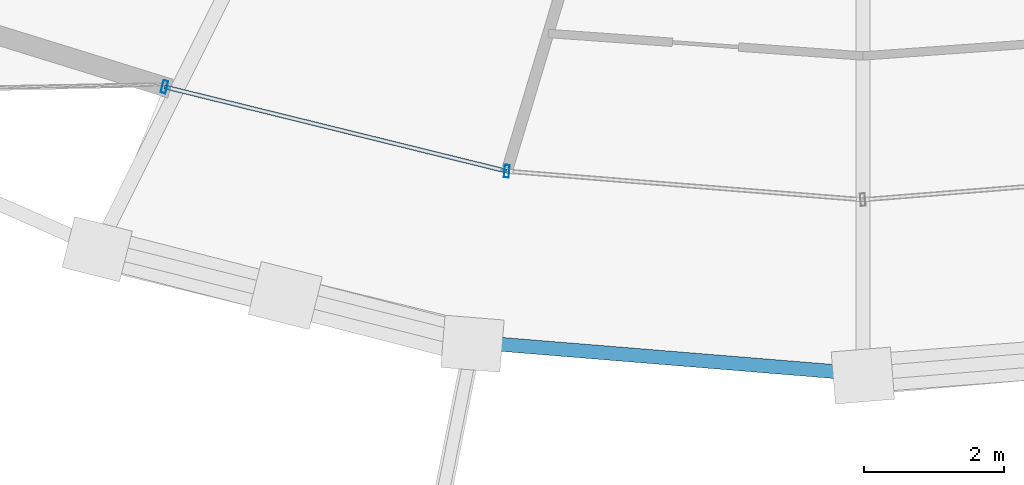
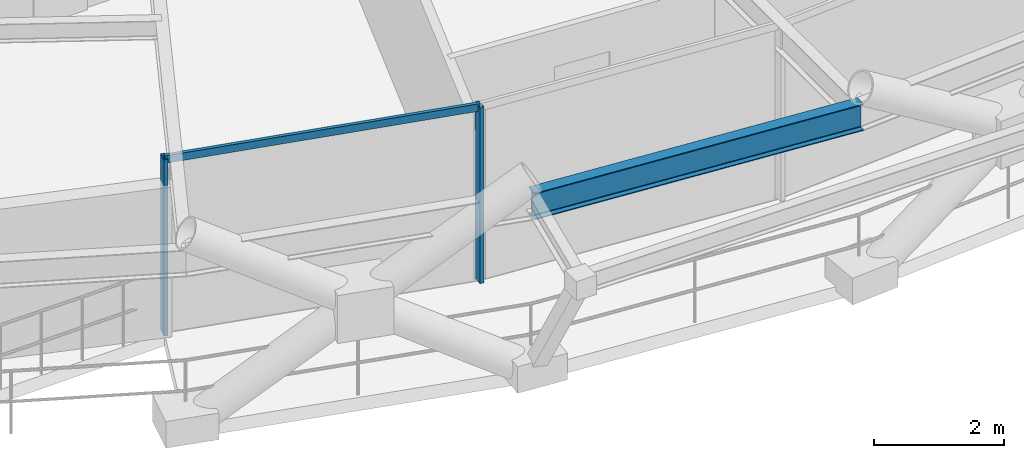
# One storey, part 2 of 21: 3 members, 1 beam, 1 element without a shape of its own.
"""IFC4 building model written with IfcOpenShell, lengths in metres."""

from ifc_helpers import new_model, si_unit, direction, frame, origin, origin_2d, place, context, subcontext, project, spatial, hollow_rectangle, i_section, extrude, material, layer, layer_set, material_profile, profile_set, type_object, element, aggregate, save


model = new_model("IFC4")

# Units and contexts
model_context = context("Model", 3, precision=1e-05, world=origin(), true_north=direction((0.0, 1.0)))
body_context = subcontext(model_context, "Body", "Model", "MODEL_VIEW")
ifc_project = project(units=[si_unit("LENGTHUNIT", "METRE"), si_unit("AREAUNIT", "SQUARE_METRE"), si_unit("VOLUMEUNIT", "CUBIC_METRE"), si_unit("PLANEANGLEUNIT", "RADIAN"), si_unit("MASSUNIT", "GRAM", prefix="KILO")], contexts=[model_context])

# Site, building, storey
site_placement = place(None, origin())
site = spatial("IfcSite", under=ifc_project, at=site_placement, CompositionType="ELEMENT")
building_placement = place(site_placement, origin())
building = spatial("IfcBuilding", under=site, at=building_placement, Name="Veldorina Hangang Commons", CompositionType="ELEMENT")
storey_placement = place(building_placement, frame((0.0, 0.0, 120.800048828125)))
storey = spatial("IfcBuildingStorey", under=building, at=storey_placement, Name="L30", CompositionType="ELEMENT", Elevation=120.800048828125)

# Beam
ifc_material_1 = material(Name="Steel SM420-TMC", Category="steel")
ifc_material_profile_1 = material_profile(ifc_material_1, i_section(OverallWidth=0.199951171875, OverallDepth=0.5, WebThickness=0.010009765625, FlangeThickness=0.01611328125, FilletRadius=0.01611328125, at=origin_2d()), Name="H-500x200x10x16")
ifc_profile_set_1 = profile_set([ifc_material_profile_1], Name="Steel SM420-TMC")
beam_type = type_object("IfcBeamType", Name="BM-RB500", PredefinedType="BEAM", material=ifc_profile_set_1)
beam_placement = place(storey_placement, frame((26.4140625, 0.713623046875, 3.099853515625), z_axis=(0.996683750667, -0.081372606916, 0.0), x_axis=(0.081372606916, 0.996683750667, 0.0)))
element("IfcBeam", 1, at=beam_placement, inside=storey, type_object=beam_type, Name="L30 perimeter hoop ring beam 23", PredefinedType="BEAM", context=body_context, shape_type="SweptSolid", body=[
    extrude(i_section(OverallWidth=0.199951171875, OverallDepth=0.5, WebThickness=0.010009765625, FlangeThickness=0.01611328125, FilletRadius=0.01611328125, at=origin_2d()), origin(), (0.0, 0.0, 1.0), 5.6044921875),
])

# Curtain wall, members
ifc_material_2 = material(Name="Glass Low-E Triple IGU", Category="glass")
ifc_layer = layer(ifc_material_2, 0.179931640625)
ifc_layer_set = layer_set([ifc_layer], Name="Glass Low-E Triple IGU")
curtain_wall_type = type_object("IfcCurtainWallType", Name="CW-SYS-Z2", PredefinedType="NOTDEFINED", material=ifc_layer_set)
curtain_wall_placement = place(storey_placement, origin())
curtain_wall = element("IfcCurtainWall", 2, at=curtain_wall_placement, inside=storey, type_object=curtain_wall_type, Name="L30 unitised curtain wall CW-L30-R1", PredefinedType="NOTDEFINED")
ifc_material_3 = material(Name="Aluminium Anodized AA6063-T6", Category="aluminium")
ifc_material_profile_2 = material_profile(ifc_material_3, hollow_rectangle(XDim=0.070068359375, YDim=0.179931640625, WallThickness=0.00390625, at=origin_2d()), Name="ALU-RHS-180x70x4")
ifc_profile_set_2 = profile_set([ifc_material_profile_2], Name="Aluminium Anodized AA6063-T6")
member_type_1 = type_object("IfcMemberType", Name="CW-MUL-180", PredefinedType="MULLION", material=ifc_profile_set_2)
member_1_placement = place(storey_placement, frame((21.993896484375, 4.370361328125, 0.0), z_axis=(0.0, 0.0, 1.0), x_axis=(0.970942460014, -0.23931305719, 0.0)))
member_1 = element("IfcMember", 3, at=member_1_placement, type_object=member_type_1, Name="CW-L30-R1 vertical mullion 1", PredefinedType="MULLION", context=body_context, shape_type="SweptSolid", body=[
    extrude(hollow_rectangle(XDim=0.070068359375, YDim=0.179931640625, WallThickness=0.00390625, at=origin_2d()), origin(), (0.0, 0.0, 1.0), 3.31005859375),
])
member_2_placement = place(storey_placement, frame((26.89892578125, 3.161376953125, 0.0), z_axis=(0.0, 0.0, 1.0), x_axis=(0.996812384655, -0.079781387545, 0.0)))
member_2 = element("IfcMember", 4, at=member_2_placement, type_object=member_type_1, Name="CW-L30-R1 vertical mullion 2", PredefinedType="MULLION", context=body_context, shape_type="SweptSolid", body=[
    extrude(hollow_rectangle(XDim=0.070068359375, YDim=0.179931640625, WallThickness=0.00390625, at=origin_2d()), origin(), (0.0, 0.0, 1.0), 3.31005859375),
])
ifc_material_profile_3 = material_profile(ifc_material_3, hollow_rectangle(XDim=0.06005859375, YDim=0.139892578125, WallThickness=0.00341796875, at=origin_2d()), Name="ALU-RHS-140x60x3.5")
ifc_profile_set_3 = profile_set([ifc_material_profile_3], Name="Aluminium Anodized AA6063-T6")
member_type_2 = type_object("IfcMemberType", Name="CW-TRN-140", PredefinedType="USERDEFINED", material=ifc_profile_set_3)
member_3_placement = place(storey_placement, frame((21.993896484375, 4.370361328125, 3.27001953125), z_axis=(0.970941668594, -0.239316268124, 0.0), x_axis=(0.239316268124, 0.970941668594, 0.0)))
member_3 = element("IfcMember", 5, at=member_3_placement, type_object=member_type_2, Name="CW-L30-R1 facet 1 transom 1", ObjectType="TRANSOM", PredefinedType="USERDEFINED", context=body_context, shape_type="SweptSolid", body=[
    extrude(hollow_rectangle(XDim=0.06005859375, YDim=0.139892578125, WallThickness=0.00341796875, at=origin_2d()), origin(), (0.0, 0.0, 1.0), 5.0517578125),
])
aggregate(curtain_wall, [member_1, member_2, member_3])

save(model, "model.ifc")
